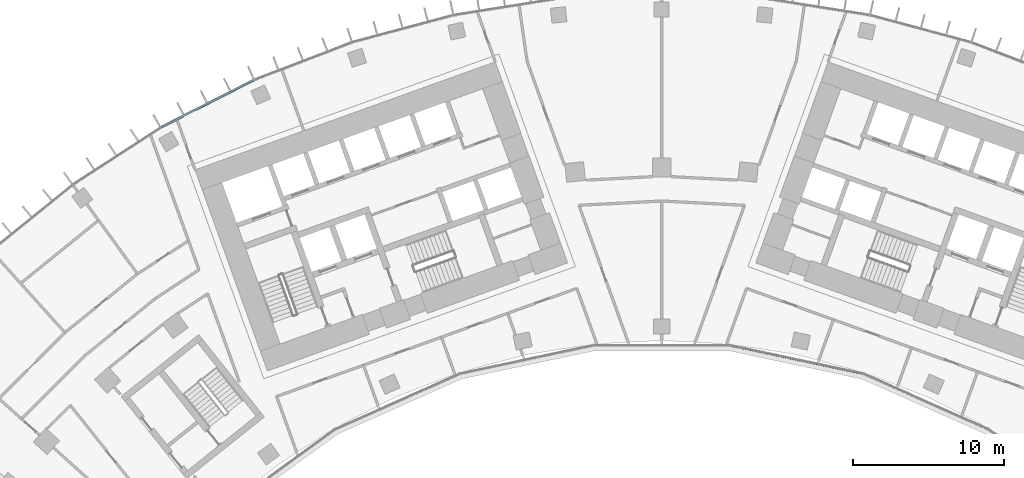
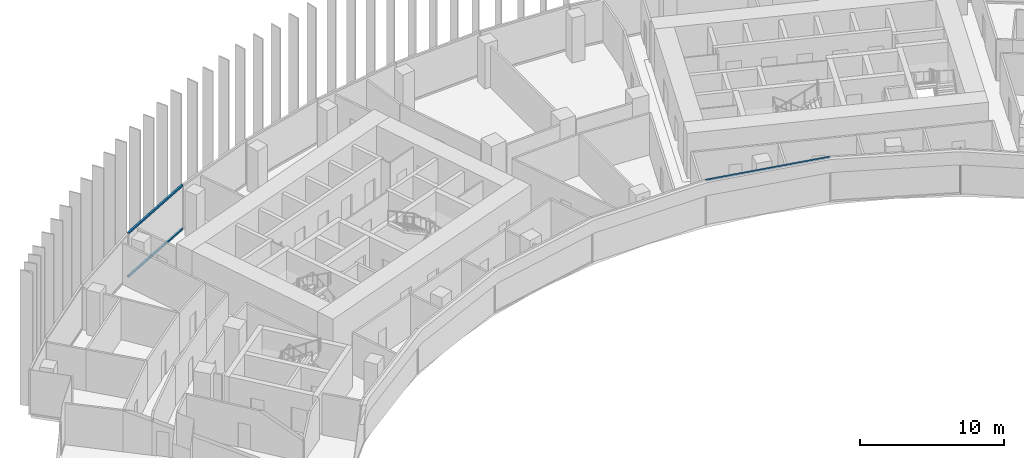
# One storey, part 6 of 22: 3 members, 2 elements without a shape of their own.
"""IFC4 building model written with IfcOpenShell, lengths in metres."""

from ifc_helpers import new_model, si_unit, direction, frame, origin, origin_2d, place, context, subcontext, project, spatial, rectangle, extrude, material, layer, layer_set, material_profile, profile_set, type_object, element, aggregate, save


model = new_model("IFC4")

# Units and contexts
model_context = context("Model", 3, precision=1e-05, world=origin(), true_north=direction((0.0, 1.0)))
body_context = subcontext(model_context, "Body", "Model", "MODEL_VIEW")
ifc_project = project(units=[si_unit("LENGTHUNIT", "METRE"), si_unit("AREAUNIT", "SQUARE_METRE"), si_unit("VOLUMEUNIT", "CUBIC_METRE"), si_unit("PLANEANGLEUNIT", "RADIAN"), si_unit("MASSUNIT", "GRAM", prefix="KILO")], contexts=[model_context])

# Site, building, storey
site_placement = place(None, origin())
site = spatial("IfcSite", under=ifc_project, at=site_placement, CompositionType="ELEMENT")
building_placement = place(site_placement, origin())
building = spatial("IfcBuilding", under=site, at=building_placement, Name="Stone Belt Terrace Tower", CompositionType="ELEMENT")
storey_placement = place(building_placement, frame((0.0, 0.0, 155.39990234375)))
storey = spatial("IfcBuildingStorey", under=building, at=storey_placement, Name="L37", CompositionType="ELEMENT", Elevation=155.39990234375)

# Curtain wall, members
ifc_material = material(Name="Aluminium 6063-T6 anodised frame", Category="aluminium")
ifc_layer_1 = layer(ifc_material, 0.14990234375)
ifc_layer_set_1 = layer_set([ifc_layer_1], Name="CW-A unitised convex-face curtain wall")
curtain_wall_type_1 = type_object("IfcCurtainWallType", Name="CW-A unitised convex-face curtain wall", PredefinedType="NOTDEFINED", material=ifc_layer_set_1)
curtain_wall_1_placement = place(storey_placement, origin())
curtain_wall_1 = element("IfcCurtainWall", 1, at=curtain_wall_1_placement, inside=storey, type_object=curtain_wall_type_1, Name="CW-A convex face L37", PredefinedType="NOTDEFINED")
ifc_material_profile_1 = material_profile(ifc_material, rectangle(XDim=0.14990234375, YDim=0.139892578125, at=origin_2d()), Name="Aluminium 6063-T6 150x140")
ifc_profile_set_1 = profile_set([ifc_material_profile_1], Name="Aluminium 6063-T6 anodised frame")
member_type_1 = type_object("IfcMemberType", Name="CW-A transom 140 x 150", PredefinedType="USERDEFINED", material=ifc_profile_set_1)
member_1_placement = place(storey_placement, frame((-27.108642578125, 60.803955078125, 0.070068359375), z_axis=(-0.891012226264, -0.453979308613, 0.0), x_axis=(0.453979308613, -0.891012226264, 0.0)))
member_1 = element("IfcMember", 2, at=member_1_placement, type_object=member_type_1, Name="CW-A transom 13.1", ObjectType="TRANSOM", PredefinedType="USERDEFINED", context=body_context, shape_type="SweptSolid", body=[
    extrude(rectangle(XDim=0.14990234375, YDim=0.139892578125, at=origin_2d()), origin(), (0.0, 0.0, 1.0), 6.90087890625),
])
member_2_placement = place(storey_placement, frame((-27.108642578125, 60.803955078125, 3.72998046875), z_axis=(-0.891012226264, -0.453979308613, 0.0), x_axis=(0.453979308613, -0.891012226264, 0.0)))
member_2 = element("IfcMember", 3, at=member_2_placement, type_object=member_type_1, Name="CW-A transom 13.2", ObjectType="TRANSOM", PredefinedType="USERDEFINED", context=body_context, shape_type="SweptSolid", body=[
    extrude(rectangle(XDim=0.14990234375, YDim=0.139892578125, at=origin_2d()), origin(), (0.0, 0.0, 1.0), 6.90087890625),
])
aggregate(curtain_wall_1, [member_1, member_2])

# Curtain wall, member
ifc_layer_2 = layer(ifc_material, 0.14990234375)
ifc_layer_set_2 = layer_set([ifc_layer_2], Name="CW-B unitised concave-face curtain wall")
curtain_wall_type_2 = type_object("IfcCurtainWallType", Name="CW-B unitised concave-face curtain wall", PredefinedType="NOTDEFINED", material=ifc_layer_set_2)
curtain_wall_2_placement = place(storey_placement, origin())
curtain_wall_2 = element("IfcCurtainWall", 4, at=curtain_wall_2_placement, inside=storey, type_object=curtain_wall_type_2, Name="CW-B concave face L37", PredefinedType="NOTDEFINED")
ifc_material_profile_2 = material_profile(ifc_material, rectangle(XDim=0.14990234375, YDim=0.1201171875, at=origin_2d()), Name="Aluminium 6063-T6 150x120")
ifc_profile_set_2 = profile_set([ifc_material_profile_2], Name="Aluminium 6063-T6 anodised frame")
member_type_2 = type_object("IfcMemberType", Name="CW-B transom 120 x 150", PredefinedType="USERDEFINED", material=ifc_profile_set_2)
member_3_placement = place(storey_placement, frame((4.571044921875, 43.179931640625, 3.739990234375), z_axis=(0.9781499003, -0.207900871914, 0.0), x_axis=(0.207900871914, 0.9781499003, 0.0)))
member_3 = element("IfcMember", 5, at=member_3_placement, type_object=member_type_2, Name="CW-B transom 6.1", ObjectType="TRANSOM", PredefinedType="USERDEFINED", context=body_context, shape_type="SweptSolid", body=[
    extrude(rectangle(XDim=0.14990234375, YDim=0.1201171875, at=origin_2d()), origin(), (0.0, 0.0, 1.0), 9.012939453125),
])
aggregate(curtain_wall_2, [member_3])

save(model, "model.ifc")
